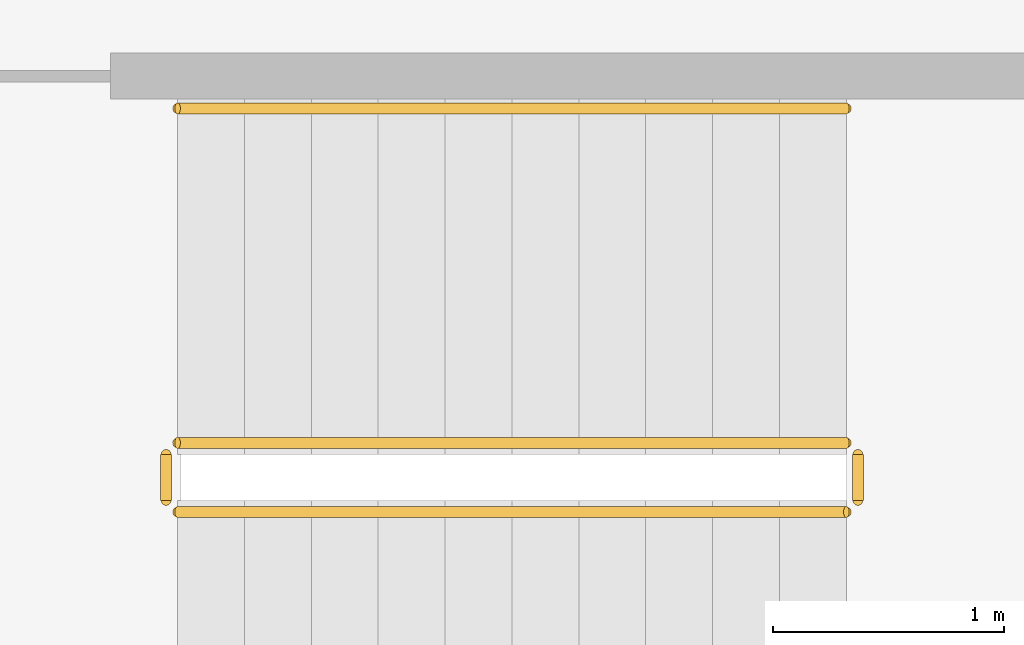
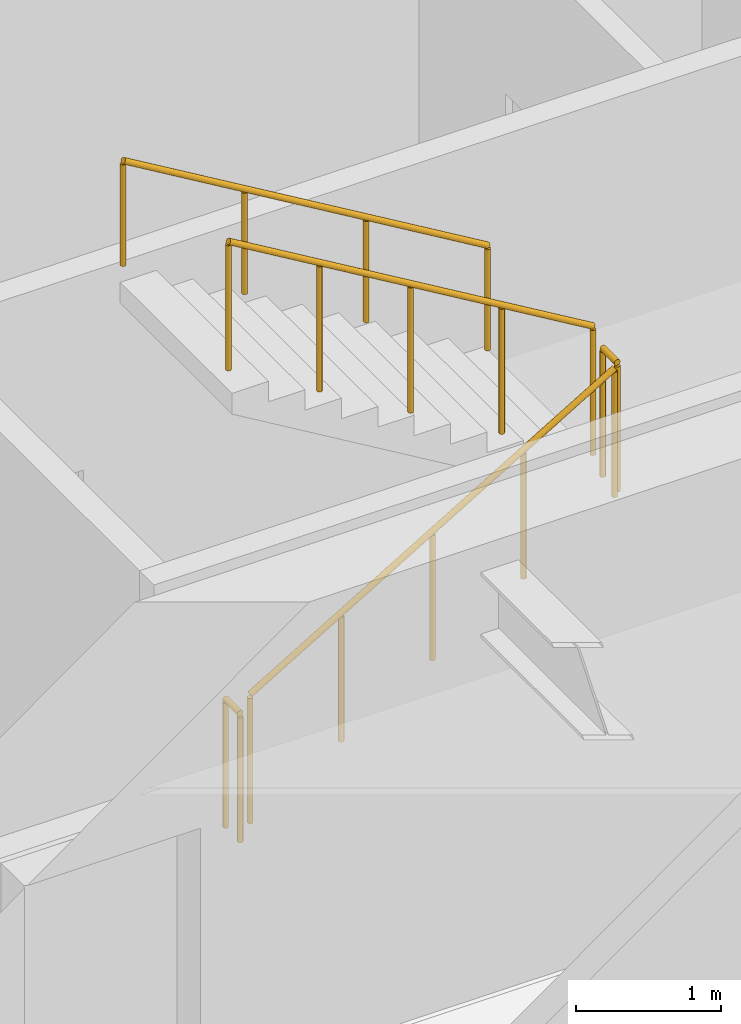
# One storey, part 21 of 22: 5 railings.
"""IFC4 building model written with IfcOpenShell, lengths in metres."""

from ifc_helpers import new_model, si_unit, direction, frame, origin, origin_2d, place, context, subcontext, project, spatial, circle, extrude, material, type_object, element, save


model = new_model("IFC4")

# Units and contexts
model_context = context("Model", 3, precision=1e-05, world=origin(), true_north=direction((0.0, 1.0)))
body_context = subcontext(model_context, "Body", "Model", "MODEL_VIEW")
ifc_project = project(units=[si_unit("LENGTHUNIT", "METRE"), si_unit("AREAUNIT", "SQUARE_METRE"), si_unit("VOLUMEUNIT", "CUBIC_METRE"), si_unit("PLANEANGLEUNIT", "RADIAN"), si_unit("MASSUNIT", "GRAM", prefix="KILO")], contexts=[model_context])

# Site, building, storey
site_placement = place(None, origin())
site = spatial("IfcSite", under=ifc_project, at=site_placement, CompositionType="ELEMENT")
building_placement = place(site_placement, origin())
building = spatial("IfcBuilding", under=site, at=building_placement, Name="Putna Gate Headquarters", CompositionType="ELEMENT")
storey_placement = place(building_placement, frame((0.0, 0.0, 144.199951171875)))
storey = spatial("IfcBuildingStorey", under=building, at=storey_placement, Name="L35", CompositionType="ELEMENT", Elevation=144.199951171875)

# Railings
ifc_material_1 = material(Name="Powder-coated steel stair guardrail", Category="steel")
railing_type_1 = type_object("IfcRailingType", Name="RAIL-STAIR-GUARD-1100", PredefinedType="GUARDRAIL", material=ifc_material_1)
railing_1_placement = place(storey_placement, frame((57.89990234375, 21.10009765625, 0.1728515625)))
element("IfcRailing", 1, at=railing_1_placement, inside=storey, type_object=railing_type_1, Name="L35 ST2 stair guard 1", PredefinedType="GUARDRAIL", context=body_context, shape_type="SweptSolid", body=[
    extrude(circle(Radius=0.02392578125, at=origin_2d()), frame((0.0, 0.0, 1.076171875), z_axis=(0.859160404282, 0.0, 0.51170636083), x_axis=(0.0, 1.0, 0.0)), (0.0, 0.0, 1.0), 3.37548828125),
    extrude(circle(Radius=0.02099609375, at=origin_2d()), origin(), (0.0, 0.0, 1.0), 1.052001953125),
    extrude(circle(Radius=0.02099609375, at=origin_2d()), frame((0.72509765625, 0.0, 0.431884765625)), (0.0, 0.0, 1.0), 1.052001953125),
    extrude(circle(Radius=0.02099609375, at=origin_2d()), frame((1.4501953125, 0.0, 0.86376953125)), (0.0, 0.0, 1.0), 1.052001953125),
    extrude(circle(Radius=0.02099609375, at=origin_2d()), frame((2.175048828125, 0.0, 1.29541015625)), (0.0, 0.0, 1.0), 1.052001953125),
    extrude(circle(Radius=0.02099609375, at=origin_2d()), frame((2.900146484375, 0.0, 1.727294921875)), (0.0, 0.0, 1.0), 1.052001953125),
])
railing_2_placement = place(storey_placement, frame((60.85009765625, 21.14990234375, 1.900146484375)))
element("IfcRailing", 2, at=railing_2_placement, inside=storey, type_object=railing_type_1, Name="L35 ST2 stair guard 2", PredefinedType="GUARDRAIL", context=body_context, shape_type="SweptSolid", body=[
    extrude(circle(Radius=0.02392578125, at=origin_2d()), frame((0.0, 0.0, 1.076171875), z_axis=(0.0, 1.0, 0.0), x_axis=(-1.0, 0.0, 0.0)), (0.0, 0.0, 1.0), 0.2001953125),
    extrude(circle(Radius=0.02099609375, at=origin_2d()), origin(), (0.0, 0.0, 1.0), 1.052001953125),
    extrude(circle(Radius=0.02099609375, at=origin_2d()), frame((0.0, 0.2001953125, 0.0)), (0.0, 0.0, 1.0), 1.052001953125),
])
railing_3_placement = place(storey_placement, frame((60.800048828125, 21.39990234375, 2.07275390625)))
element("IfcRailing", 3, at=railing_3_placement, inside=storey, type_object=railing_type_1, Name="L35 ST2 stair guard 3", PredefinedType="GUARDRAIL", context=body_context, shape_type="SweptSolid", body=[
    extrude(circle(Radius=0.02392578125, at=origin_2d()), frame((0.0, 0.0, 1.076171875), z_axis=(-0.859160404282, 0.0, 0.51170636083), x_axis=(0.0, -1.0, 0.0)), (0.0, 0.0, 1.0), 3.37548828125),
    extrude(circle(Radius=0.02099609375, at=origin_2d()), origin(), (0.0, 0.0, 1.0), 1.052001953125),
    extrude(circle(Radius=0.02099609375, at=origin_2d()), frame((-0.72509765625, 0.0, 0.431884765625)), (0.0, 0.0, 1.0), 1.052001953125),
    extrude(circle(Radius=0.02099609375, at=origin_2d()), frame((-1.4501953125, 0.0, 0.86376953125)), (0.0, 0.0, 1.0), 1.052001953125),
    extrude(circle(Radius=0.02099609375, at=origin_2d()), frame((-2.175048828125, 0.0, 1.29541015625)), (0.0, 0.0, 1.0), 1.052001953125),
    extrude(circle(Radius=0.02099609375, at=origin_2d()), frame((-2.900146484375, 0.0, 1.727294921875)), (0.0, 0.0, 1.0), 1.052001953125),
])
railing_4_placement = place(storey_placement, frame((57.85009765625, 21.14990234375, 0.0)))
element("IfcRailing", 4, at=railing_4_placement, inside=storey, type_object=railing_type_1, Name="L35 ST2 stair guard 4", PredefinedType="GUARDRAIL", context=body_context, shape_type="SweptSolid", body=[
    extrude(circle(Radius=0.02392578125, at=origin_2d()), frame((0.0, 0.0, 1.076171875), z_axis=(0.0, 1.0, 0.0), x_axis=(-1.0, 0.0, 0.0)), (0.0, 0.0, 1.0), 0.2001953125),
    extrude(circle(Radius=0.02099609375, at=origin_2d()), origin(), (0.0, 0.0, 1.0), 1.052001953125),
    extrude(circle(Radius=0.02099609375, at=origin_2d()), frame((0.0, 0.2001953125, 0.0)), (0.0, 0.0, 1.0), 1.052001953125),
])
ifc_material_2 = material(Name="Brushed stainless steel handrail", Category="steel")
railing_type_2 = type_object("IfcRailingType", Name="RAIL-STAIR-HAND-900", PredefinedType="HANDRAIL", material=ifc_material_2)
railing_5_placement = place(storey_placement, frame((60.800048828125, 22.85009765625, 2.07275390625)))
element("IfcRailing", 5, at=railing_5_placement, inside=storey, type_object=railing_type_2, Name="L35 ST2 stair handrail 2", PredefinedType="HANDRAIL", context=body_context, shape_type="SweptSolid", body=[
    extrude(circle(Radius=0.02392578125, at=origin_2d()), frame((0.0, 0.0, 0.8759765625), z_axis=(-0.859160404282, 0.0, 0.51170636083), x_axis=(0.0, -1.0, 0.0)), (0.0, 0.0, 1.0), 3.37548828125),
    extrude(circle(Radius=0.02099609375, at=origin_2d()), origin(), (0.0, 0.0, 1.0), 0.851806640625),
    extrude(circle(Radius=0.02099609375, at=origin_2d()), frame((-0.966796875, 0.0, 0.57568359375)), (0.0, 0.0, 1.0), 0.851806640625),
    extrude(circle(Radius=0.02099609375, at=origin_2d()), frame((-1.933349609375, 0.0, 1.151611328125)), (0.0, 0.0, 1.0), 0.851806640625),
    extrude(circle(Radius=0.02099609375, at=origin_2d()), frame((-2.900146484375, 0.0, 1.727294921875)), (0.0, 0.0, 1.0), 0.851806640625),
])

save(model, "model.ifc")
